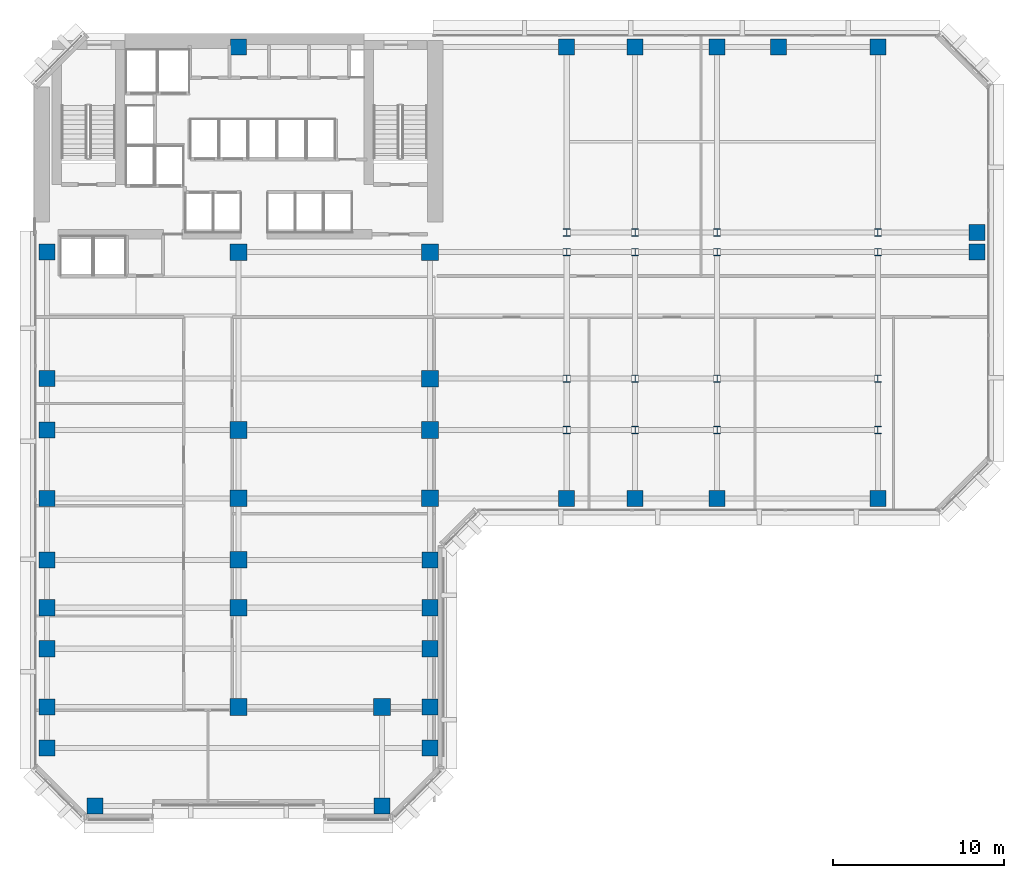
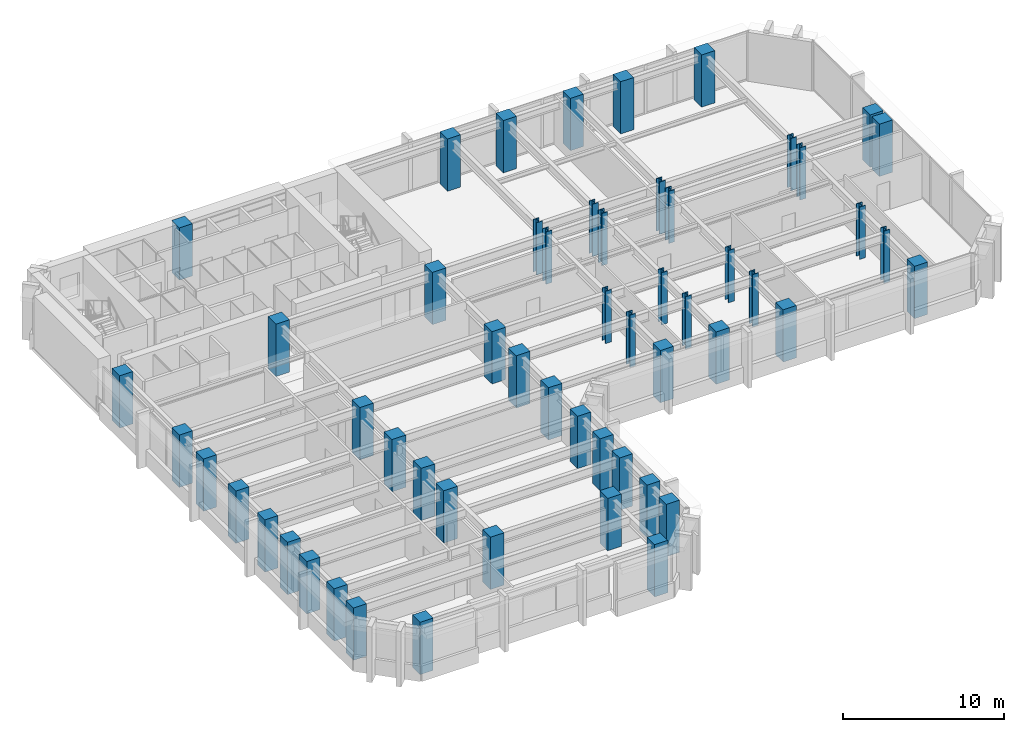
# One storey, part 1 of 13: 55 columns.
"""IFC4 building model written with IfcOpenShell, lengths in metres."""

from ifc_helpers import new_model, si_unit, direction, frame, origin, origin_2d, place, context, subcontext, project, spatial, rectangle, i_section, extrude, material, material_profile, profile_set, type_object, element, save


model = new_model("IFC4")

# Units and contexts
model_context = context("Model", 3, precision=1e-05, world=origin(), true_north=direction((0.0, 1.0)))
body_context = subcontext(model_context, "Body", "Model", "MODEL_VIEW")
ifc_project = project(units=[si_unit("LENGTHUNIT", "METRE"), si_unit("AREAUNIT", "SQUARE_METRE"), si_unit("VOLUMEUNIT", "CUBIC_METRE"), si_unit("PLANEANGLEUNIT", "RADIAN"), si_unit("MASSUNIT", "GRAM", prefix="KILO")], contexts=[model_context])

# Site, building, storey
site_placement = place(None, origin())
site = spatial("IfcSite", under=ifc_project, at=site_placement, CompositionType="ELEMENT")
building_placement = place(site_placement, origin())
building = spatial("IfcBuilding", under=site, at=building_placement, Name="Kefirva Bronze Tower", CompositionType="ELEMENT")
storey_placement = place(building_placement, frame((0.0, 0.0, 102.6298828125)))
storey = spatial("IfcBuildingStorey", under=building, at=storey_placement, Name="L24", CompositionType="ELEMENT", Elevation=102.6298828125)

# Columns
ifc_material_1 = material(Name="Concrete C60/75", Category="concrete")
ifc_material_profile_1 = material_profile(ifc_material_1, rectangle(XDim=0.93994140625, YDim=0.93994140625, at=origin_2d()), Name="RC 940x940")
ifc_profile_set_1 = profile_set([ifc_material_profile_1], Name="Concrete C60/75")
column_type_1 = type_object("IfcColumnType", Name="RC Column 940x940 Ext", PredefinedType="COLUMN", material=ifc_profile_set_1)
for number, where, z_axis, x_axis, name in (
    (1, (0.800048828125, 4.199951171875, 0.0), (0.0, 0.0, 1.0), (1.0, 0.0, 0.0), "L24 Column C008_042"),
    (2, (0.800048828125, 6.60009765625, 0.0), (0.0, 0.0, 1.0), (1.0, 0.0, 0.0), "L24 Column C008_066"),
    (3, (0.800048828125, 10.0, 0.0), (0.0, 0.0, 1.0), (1.0, 0.0, 0.0), "L24 Column C008_100"),
    (4, (0.800048828125, 12.39990234375, 0.0), (0.0, 0.0, 1.0), (1.0, 0.0, 0.0), "L24 Column C008_124"),
    (5, (0.800048828125, 15.199951171875, 0.0), (0.0, 0.0, 1.0), (1.0, 0.0, 0.0), "L24 Column C008_152"),
    (6, (0.800048828125, 18.800048828125, 0.0), (0.0, 0.0, 1.0), (1.0, 0.0, 0.0), "L24 Column C008_188"),
    (7, (0.800048828125, 22.800048828125, 0.0), (0.0, 0.0, 1.0), (1.0, 0.0, 0.0), "L24 Column C008_228"),
    (8, (0.800048828125, 25.800048828125, 0.0), (0.0, 0.0, 1.0), (1.0, 0.0, 0.0), "L24 Column C008_258"),
    (9, (0.800048828125, 33.199951171875, 0.0), (0.0, 0.0, 1.0), (1.0, 0.0, 0.0), "L24 Column C008_332"),
    (10, (3.60009765625, 0.800048828125, 0.0), (0.0, 0.0, 1.0), (1.0, 0.0, 0.0), "L24 Column C036_008"),
    (11, (12.0, 45.199951171875, 0.0), (0.0, 0.0, 1.0), (1.0, 0.0, 0.0), "L24 Column C120_452"),
    (12, (20.39990234375, 0.800048828125, 0.0), (0.0, 0.0, 1.0), (1.0, 0.0, 0.0), "L24 Column C204_008"),
    (13, (23.199951171875, 4.199951171875, 0.0), (0.0, 0.0, 1.0), (1.0, 0.0, 0.0), "L24 Column C232_042"),
    (14, (23.199951171875, 6.60009765625, 0.0), (0.0, 0.0, 1.0), (1.0, 0.0, 0.0), "L24 Column C232_066"),
    (15, (23.199951171875, 10.0, 0.0), (0.0, 0.0, 1.0), (1.0, 0.0, 0.0), "L24 Column C232_100"),
    (16, (23.199951171875, 12.39990234375, 0.0), (0.0, 0.0, 1.0), (1.0, 0.0, 0.0), "L24 Column C232_124"),
    (17, (23.199951171875, 15.199951171875, 0.0), (0.0, 0.0, 1.0), (1.0, 0.0, 0.0), "L24 Column C232_152"),
    (18, (31.199951171875, 18.800048828125, 0.0), (0.0, 0.0, 1.0), (1.0, 0.0, 0.0), "L24 Column C312_188"),
    (19, (31.199951171875, 45.199951171875, 0.0), (0.0, 0.0, 1.0), (1.0, 0.0, 0.0), "L24 Column C312_452"),
    (20, (35.199951171875, 18.800048828125, 0.0), (0.0, 0.0, 1.0), (1.0, 0.0, 0.0), "L24 Column C352_188"),
    (21, (35.199951171875, 45.199951171875, 0.0), (0.0, 0.0, 1.0), (1.0, 0.0, 0.0), "L24 Column C352_452"),
    (22, (40.0, 18.800048828125, 0.0), (0.0, 0.0, 1.0), (1.0, 0.0, 0.0), "L24 Column C400_188"),
    (23, (40.0, 45.199951171875, 0.0), (0.0, 0.0, 1.0), (1.0, 0.0, 0.0), "L24 Column C400_452"),
    (24, (43.60009765625, 45.199951171875, 0.0), (0.0, 0.0, 1.0), (1.0, 0.0, 0.0), "L24 Column C436_452"),
    (25, (49.39990234375, 18.800048828125, 0.0), (0.0, 0.0, 1.0), (1.0, 0.0, 0.0), "L24 Column C494_188"),
    (26, (49.39990234375, 45.199951171875, 0.0), (0.0, 0.0, 1.0), (1.0, 0.0, 0.0), "L24 Column C494_452"),
    (27, (55.199951171875, 33.199951171875, 0.0), (0.0, 0.0, 1.0), (1.0, 0.0, 0.0), "L24 Column C552_332"),
    (28, (55.199951171875, 34.35009765625, 0.0), (0.0, 0.0, 1.0), (1.0, 0.0, 0.0), "L24 Column C552_344"),
):
    element("IfcColumn", number, at=place(storey_placement, frame(where, z_axis=z_axis, x_axis=x_axis)), inside=storey, type_object=column_type_1, Name=name, PredefinedType="COLUMN", context=body_context, shape_type="SweptSolid", body=[
        extrude(rectangle(XDim=0.93994140625, YDim=0.93994140625, at=origin_2d()), origin(), (0.0, 0.0, 1.0), 3.960205078125),
    ])
ifc_material_profile_2 = material_profile(ifc_material_1, rectangle(XDim=0.97998046875, YDim=0.97998046875, at=origin_2d()), Name="RC 980x980")
ifc_profile_set_2 = profile_set([ifc_material_profile_2], Name="Concrete C60/75")
column_type_2 = type_object("IfcColumnType", Name="RC Column 980x980 Int", PredefinedType="COLUMN", material=ifc_profile_set_2)
for number, where, z_axis, x_axis, name in (
    (29, (12.0, 6.60009765625, 0.0), (0.0, 0.0, 1.0), (1.0, 0.0, 0.0), "L24 Column C120_066"),
    (30, (12.0, 12.39990234375, 0.0), (0.0, 0.0, 1.0), (1.0, 0.0, 0.0), "L24 Column C120_124"),
    (31, (12.0, 15.199951171875, 0.0), (0.0, 0.0, 1.0), (1.0, 0.0, 0.0), "L24 Column C120_152"),
    (32, (12.0, 18.800048828125, 0.0), (0.0, 0.0, 1.0), (1.0, 0.0, 0.0), "L24 Column C120_188"),
    (33, (12.0, 22.800048828125, 0.0), (0.0, 0.0, 1.0), (1.0, 0.0, 0.0), "L24 Column C120_228"),
    (34, (12.0, 33.199951171875, 0.0), (0.0, 0.0, 1.0), (1.0, 0.0, 0.0), "L24 Column C120_332"),
    (35, (20.39990234375, 6.60009765625, 0.0), (0.0, 0.0, 1.0), (1.0, 0.0, 0.0), "L24 Column C204_066"),
    (36, (23.199951171875, 18.800048828125, 0.0), (0.0, 0.0, 1.0), (1.0, 0.0, 0.0), "L24 Column C232_188"),
    (37, (23.199951171875, 22.800048828125, 0.0), (0.0, 0.0, 1.0), (1.0, 0.0, 0.0), "L24 Column C232_228"),
    (38, (23.199951171875, 25.800048828125, 0.0), (0.0, 0.0, 1.0), (1.0, 0.0, 0.0), "L24 Column C232_258"),
    (39, (23.199951171875, 33.199951171875, 0.0), (0.0, 0.0, 1.0), (1.0, 0.0, 0.0), "L24 Column C232_332"),
):
    element("IfcColumn", number, at=place(storey_placement, frame(where, z_axis=z_axis, x_axis=x_axis)), inside=storey, type_object=column_type_2, Name=name, PredefinedType="COLUMN", context=body_context, shape_type="SweptSolid", body=[
        extrude(rectangle(XDim=0.97998046875, YDim=0.97998046875, at=origin_2d()), origin(), (0.0, 0.0, 1.0), 3.960205078125),
    ])
ifc_material_2 = material(Name="Steel S460", Category="steel")
ifc_material_profile_3 = material_profile(ifc_material_2, i_section(OverallWidth=0.41796875, OverallDepth=0.455078125, WebThickness=0.031982421875, FlangeThickness=0.051025390625, at=origin_2d()), Name="HD 400x551")
ifc_profile_set_3 = profile_set([ifc_material_profile_3], Name="Steel S460")
column_type_3 = type_object("IfcColumnType", Name="Steel Column HD 400x551", PredefinedType="COLUMN", material=ifc_profile_set_3)
for number, where, z_axis, x_axis, name in (
    (40, (31.199951171875, 22.800048828125, 0.0), (0.0, 0.0, 1.0), (1.0, 0.0, 0.0), "L24 Column C312_228"),
    (41, (31.199951171875, 25.800048828125, 0.0), (0.0, 0.0, 1.0), (1.0, 0.0, 0.0), "L24 Column C312_258"),
    (42, (31.199951171875, 33.199951171875, 0.0), (0.0, 0.0, 1.0), (1.0, 0.0, 0.0), "L24 Column C312_332"),
    (43, (31.199951171875, 34.35009765625, 0.0), (0.0, 0.0, 1.0), (1.0, 0.0, 0.0), "L24 Column C312_344"),
    (44, (35.199951171875, 22.800048828125, 0.0), (0.0, 0.0, 1.0), (1.0, 0.0, 0.0), "L24 Column C352_228"),
    (45, (35.199951171875, 25.800048828125, 0.0), (0.0, 0.0, 1.0), (1.0, 0.0, 0.0), "L24 Column C352_258"),
    (46, (35.199951171875, 33.199951171875, 0.0), (0.0, 0.0, 1.0), (1.0, 0.0, 0.0), "L24 Column C352_332"),
    (47, (35.199951171875, 34.35009765625, 0.0), (0.0, 0.0, 1.0), (1.0, 0.0, 0.0), "L24 Column C352_344"),
    (48, (40.0, 22.800048828125, 0.0), (0.0, 0.0, 1.0), (1.0, 0.0, 0.0), "L24 Column C400_228"),
    (49, (40.0, 25.800048828125, 0.0), (0.0, 0.0, 1.0), (1.0, 0.0, 0.0), "L24 Column C400_258"),
    (50, (40.0, 33.199951171875, 0.0), (0.0, 0.0, 1.0), (1.0, 0.0, 0.0), "L24 Column C400_332"),
    (51, (40.0, 34.35009765625, 0.0), (0.0, 0.0, 1.0), (1.0, 0.0, 0.0), "L24 Column C400_344"),
    (52, (49.39990234375, 22.800048828125, 0.0), (0.0, 0.0, 1.0), (1.0, 0.0, 0.0), "L24 Column C494_228"),
    (53, (49.39990234375, 25.800048828125, 0.0), (0.0, 0.0, 1.0), (1.0, 0.0, 0.0), "L24 Column C494_258"),
    (54, (49.39990234375, 33.199951171875, 0.0), (0.0, 0.0, 1.0), (1.0, 0.0, 0.0), "L24 Column C494_332"),
    (55, (49.39990234375, 34.35009765625, 0.0), (0.0, 0.0, 1.0), (1.0, 0.0, 0.0), "L24 Column C494_344"),
):
    element("IfcColumn", number, at=place(storey_placement, frame(where, z_axis=z_axis, x_axis=x_axis)), inside=storey, type_object=column_type_3, Name=name, PredefinedType="COLUMN", context=body_context, shape_type="SweptSolid", body=[
        extrude(i_section(OverallWidth=0.41796875, OverallDepth=0.455078125, WebThickness=0.031982421875, FlangeThickness=0.051025390625, at=origin_2d()), origin(), (0.0, 0.0, 1.0), 3.960205078125),
    ])

save(model, "model.ifc")
